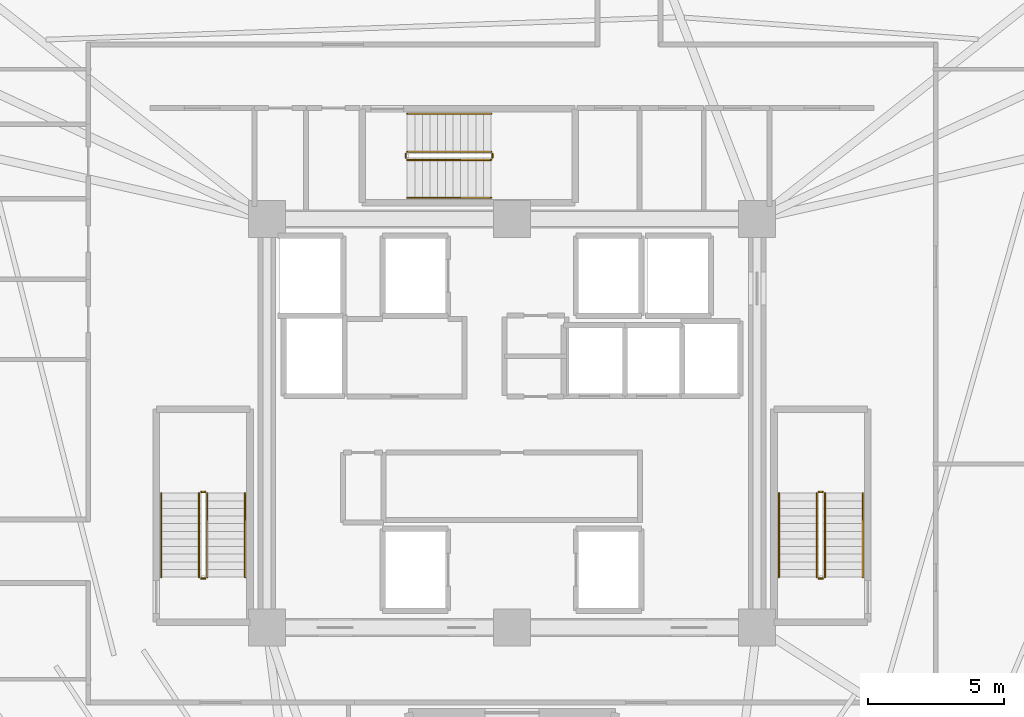
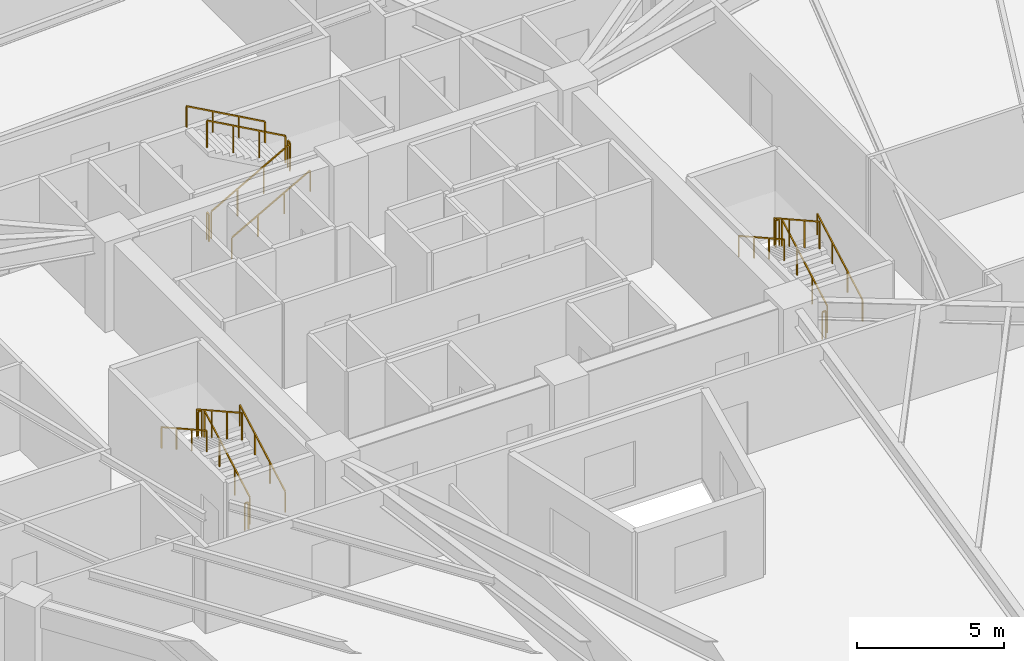
# One storey, part 8 of 8: 18 railings.
"""IFC4 building model written with IfcOpenShell, lengths in metres."""

from ifc_helpers import new_model, si_unit, direction, frame, origin, origin_2d, place, context, subcontext, project, spatial, rectangle, extrude, material, type_object, element, save


model = new_model("IFC4")

# Units and contexts
model_context = context("Model", 3, precision=1e-05, world=origin(), true_north=direction((0.0, 1.0)))
body_context = subcontext(model_context, "Body", "Model", "MODEL_VIEW")
ifc_project = project(units=[si_unit("LENGTHUNIT", "METRE"), si_unit("AREAUNIT", "SQUARE_METRE"), si_unit("VOLUMEUNIT", "CUBIC_METRE"), si_unit("PLANEANGLEUNIT", "RADIAN"), si_unit("MASSUNIT", "GRAM", prefix="KILO")], contexts=[model_context])

# Site, building, storey
site_placement = place(None, origin())
site = spatial("IfcSite", under=ifc_project, at=site_placement, CompositionType="ELEMENT")
building_placement = place(site_placement, origin())
building = spatial("IfcBuilding", under=site, at=building_placement, Name="Liaohun Quay Tower", CompositionType="ELEMENT")
storey_placement = place(building_placement, frame((0.0, 0.0, 213.0)))
storey = spatial("IfcBuildingStorey", under=building, at=storey_placement, Name="L55", CompositionType="ELEMENT", Elevation=213.0)

# Railings
ifc_material_1 = material(Name="Painted tubular steel", Category="steel")
railing_type_1 = type_object("IfcRailingType", Name="RLG-GUARD-STR", PredefinedType="GUARDRAIL", material=ifc_material_1)
railing_1_placement = place(storey_placement, frame((48.81005859375, 48.35009765625, 0.15625)))
element("IfcRailing", 1, at=railing_1_placement, inside=storey, type_object=railing_type_1, Name="L55 ST-1 stair guard 1", PredefinedType="GUARDRAIL", context=body_context, shape_type="SweptSolid", body=[
    extrude(rectangle(XDim=0.048095703125, YDim=0.048095703125, at=origin_2d()), frame((0.0, 0.0, 1.1259765625), z_axis=(0.0, 0.873225103656, 0.487317061414), x_axis=(-1.0, 0.0, 0.0)), (0.0, 0.0, 1.0), 3.52685546875),
    extrude(rectangle(XDim=0.0419921875, YDim=0.0419921875, at=origin_2d()), origin(), (0.0, 0.0, 1.0), 1.101806640625),
    extrude(rectangle(XDim=0.0419921875, YDim=0.0419921875, at=origin_2d()), frame((0.0, 1.026611328125, 0.572998046875)), (0.0, 0.0, 1.0), 1.101806640625),
    extrude(rectangle(XDim=0.0419921875, YDim=0.0419921875, at=origin_2d()), frame((0.0, 2.05322265625, 1.145751953125)), (0.0, 0.0, 1.0), 1.101806640625),
    extrude(rectangle(XDim=0.0419921875, YDim=0.0419921875, at=origin_2d()), frame((0.0, 3.079833984375, 1.71875)), (0.0, 0.0, 1.0), 1.101806640625),
])
railing_2_placement = place(storey_placement, frame((48.72998046875, 51.47998046875, 1.875)))
element("IfcRailing", 2, at=railing_2_placement, inside=storey, type_object=railing_type_1, Name="L55 ST-1 stair guard 2", PredefinedType="GUARDRAIL", context=body_context, shape_type="SweptSolid", body=[
    extrude(rectangle(XDim=0.048095703125, YDim=0.048095703125, at=origin_2d()), frame((0.0, 0.0, 1.1259765625), z_axis=(-1.0, 0.0, 0.0), x_axis=(0.0, -1.0, 0.0)), (0.0, 0.0, 1.0), 0.139892578125),
    extrude(rectangle(XDim=0.0419921875, YDim=0.0419921875, at=origin_2d()), origin(), (0.0, 0.0, 1.0), 1.101806640625),
    extrude(rectangle(XDim=0.0419921875, YDim=0.0419921875, at=origin_2d()), frame((-0.139892578125, 0.0, 0.0)), (0.0, 0.0, 1.0), 1.101806640625),
])
railing_3_placement = place(storey_placement, frame((48.510009765625, 51.429931640625, 2.03125)))
element("IfcRailing", 3, at=railing_3_placement, inside=storey, type_object=railing_type_1, Name="L55 ST-1 stair guard 3", PredefinedType="GUARDRAIL", context=body_context, shape_type="SweptSolid", body=[
    extrude(rectangle(XDim=0.048095703125, YDim=0.048095703125, at=origin_2d()), frame((0.0, 0.0, 1.1259765625), z_axis=(0.0, -0.873225103656, 0.487317061414), x_axis=(1.0, 0.0, 0.0)), (0.0, 0.0, 1.0), 3.52685546875),
    extrude(rectangle(XDim=0.0419921875, YDim=0.0419921875, at=origin_2d()), origin(), (0.0, 0.0, 1.0), 1.101806640625),
    extrude(rectangle(XDim=0.0419921875, YDim=0.0419921875, at=origin_2d()), frame((0.0, -1.026611328125, 0.572998046875)), (0.0, 0.0, 1.0), 1.101806640625),
    extrude(rectangle(XDim=0.0419921875, YDim=0.0419921875, at=origin_2d()), frame((0.0, -2.05322265625, 1.145751953125)), (0.0, 0.0, 1.0), 1.101806640625),
    extrude(rectangle(XDim=0.0419921875, YDim=0.0419921875, at=origin_2d()), frame((0.0, -3.079833984375, 1.71875)), (0.0, 0.0, 1.0), 1.101806640625),
])
railing_4_placement = place(storey_placement, frame((48.72998046875, 48.300048828125, 0.0)))
element("IfcRailing", 4, at=railing_4_placement, inside=storey, type_object=railing_type_1, Name="L55 ST-1 stair guard 4", PredefinedType="GUARDRAIL", context=body_context, shape_type="SweptSolid", body=[
    extrude(rectangle(XDim=0.048095703125, YDim=0.048095703125, at=origin_2d()), frame((0.0, 0.0, 1.1259765625), z_axis=(-1.0, 0.0, 0.0), x_axis=(0.0, -1.0, 0.0)), (0.0, 0.0, 1.0), 0.139892578125),
    extrude(rectangle(XDim=0.0419921875, YDim=0.0419921875, at=origin_2d()), origin(), (0.0, 0.0, 1.0), 1.101806640625),
    extrude(rectangle(XDim=0.0419921875, YDim=0.0419921875, at=origin_2d()), frame((-0.139892578125, 0.0, 0.0)), (0.0, 0.0, 1.0), 1.101806640625),
])
railing_5_placement = place(storey_placement, frame((71.489990234375, 48.35009765625, 0.15625)))
element("IfcRailing", 5, at=railing_5_placement, inside=storey, type_object=railing_type_1, Name="L55 ST-2 stair guard 1", PredefinedType="GUARDRAIL", context=body_context, shape_type="SweptSolid", body=[
    extrude(rectangle(XDim=0.048095703125, YDim=0.048095703125, at=origin_2d()), frame((0.0, 0.0, 1.1259765625), z_axis=(0.0, 0.873225103656, 0.487317061414), x_axis=(-1.0, 0.0, 0.0)), (0.0, 0.0, 1.0), 3.52685546875),
    extrude(rectangle(XDim=0.0419921875, YDim=0.0419921875, at=origin_2d()), origin(), (0.0, 0.0, 1.0), 1.101806640625),
    extrude(rectangle(XDim=0.0419921875, YDim=0.0419921875, at=origin_2d()), frame((0.0, 1.026611328125, 0.572998046875)), (0.0, 0.0, 1.0), 1.101806640625),
    extrude(rectangle(XDim=0.0419921875, YDim=0.0419921875, at=origin_2d()), frame((0.0, 2.05322265625, 1.145751953125)), (0.0, 0.0, 1.0), 1.101806640625),
    extrude(rectangle(XDim=0.0419921875, YDim=0.0419921875, at=origin_2d()), frame((0.0, 3.079833984375, 1.71875)), (0.0, 0.0, 1.0), 1.101806640625),
])
railing_6_placement = place(storey_placement, frame((71.409912109375, 51.47998046875, 1.875)))
element("IfcRailing", 6, at=railing_6_placement, inside=storey, type_object=railing_type_1, Name="L55 ST-2 stair guard 2", PredefinedType="GUARDRAIL", context=body_context, shape_type="SweptSolid", body=[
    extrude(rectangle(XDim=0.048095703125, YDim=0.048095703125, at=origin_2d()), frame((0.0, 0.0, 1.1259765625), z_axis=(-1.0, 0.0, 0.0), x_axis=(0.0, -1.0, 0.0)), (0.0, 0.0, 1.0), 0.139892578125),
    extrude(rectangle(XDim=0.0419921875, YDim=0.0419921875, at=origin_2d()), origin(), (0.0, 0.0, 1.0), 1.101806640625),
    extrude(rectangle(XDim=0.0419921875, YDim=0.0419921875, at=origin_2d()), frame((-0.139892578125, 0.0, 0.0)), (0.0, 0.0, 1.0), 1.101806640625),
])
railing_7_placement = place(storey_placement, frame((71.18994140625, 51.429931640625, 2.03125)))
element("IfcRailing", 7, at=railing_7_placement, inside=storey, type_object=railing_type_1, Name="L55 ST-2 stair guard 3", PredefinedType="GUARDRAIL", context=body_context, shape_type="SweptSolid", body=[
    extrude(rectangle(XDim=0.048095703125, YDim=0.048095703125, at=origin_2d()), frame((0.0, 0.0, 1.1259765625), z_axis=(0.0, -0.873225103656, 0.487317061414), x_axis=(1.0, 0.0, 0.0)), (0.0, 0.0, 1.0), 3.52685546875),
    extrude(rectangle(XDim=0.0419921875, YDim=0.0419921875, at=origin_2d()), origin(), (0.0, 0.0, 1.0), 1.101806640625),
    extrude(rectangle(XDim=0.0419921875, YDim=0.0419921875, at=origin_2d()), frame((0.0, -1.026611328125, 0.572998046875)), (0.0, 0.0, 1.0), 1.101806640625),
    extrude(rectangle(XDim=0.0419921875, YDim=0.0419921875, at=origin_2d()), frame((0.0, -2.05322265625, 1.145751953125)), (0.0, 0.0, 1.0), 1.101806640625),
    extrude(rectangle(XDim=0.0419921875, YDim=0.0419921875, at=origin_2d()), frame((0.0, -3.079833984375, 1.71875)), (0.0, 0.0, 1.0), 1.101806640625),
])
railing_8_placement = place(storey_placement, frame((71.409912109375, 48.300048828125, 0.0)))
element("IfcRailing", 8, at=railing_8_placement, inside=storey, type_object=railing_type_1, Name="L55 ST-2 stair guard 4", PredefinedType="GUARDRAIL", context=body_context, shape_type="SweptSolid", body=[
    extrude(rectangle(XDim=0.048095703125, YDim=0.048095703125, at=origin_2d()), frame((0.0, 0.0, 1.1259765625), z_axis=(-1.0, 0.0, 0.0), x_axis=(0.0, -1.0, 0.0)), (0.0, 0.0, 1.0), 0.139892578125),
    extrude(rectangle(XDim=0.0419921875, YDim=0.0419921875, at=origin_2d()), origin(), (0.0, 0.0, 1.0), 1.101806640625),
    extrude(rectangle(XDim=0.0419921875, YDim=0.0419921875, at=origin_2d()), frame((-0.139892578125, 0.0, 0.0)), (0.0, 0.0, 1.0), 1.101806640625),
])
railing_9_placement = place(storey_placement, frame((56.14990234375, 63.669921875, 0.15625)))
element("IfcRailing", 9, at=railing_9_placement, inside=storey, type_object=railing_type_1, Name="L55 ST-3 stair guard 1", PredefinedType="GUARDRAIL", context=body_context, shape_type="SweptSolid", body=[
    extrude(rectangle(XDim=0.048095703125, YDim=0.048095703125, at=origin_2d()), frame((0.0, 0.0, 1.1259765625), z_axis=(0.873241540666, 0.0, 0.487287606713), x_axis=(0.0, 1.0, 0.0)), (0.0, 0.0, 1.0), 3.527099609375),
    extrude(rectangle(XDim=0.0419921875, YDim=0.0419921875, at=origin_2d()), origin(), (0.0, 0.0, 1.0), 1.101806640625),
    extrude(rectangle(XDim=0.0419921875, YDim=0.0419921875, at=origin_2d()), frame((1.026611328125, 0.0, 0.572998046875)), (0.0, 0.0, 1.0), 1.101806640625),
    extrude(rectangle(XDim=0.0419921875, YDim=0.0419921875, at=origin_2d()), frame((2.053466796875, 0.0, 1.145751953125)), (0.0, 0.0, 1.0), 1.101806640625),
    extrude(rectangle(XDim=0.0419921875, YDim=0.0419921875, at=origin_2d()), frame((3.080078125, 0.0, 1.71875)), (0.0, 0.0, 1.0), 1.101806640625),
])
railing_10_placement = place(storey_placement, frame((59.280029296875, 63.75, 1.875)))
element("IfcRailing", 10, at=railing_10_placement, inside=storey, type_object=railing_type_1, Name="L55 ST-3 stair guard 2", PredefinedType="GUARDRAIL", context=body_context, shape_type="SweptSolid", body=[
    extrude(rectangle(XDim=0.048095703125, YDim=0.048095703125, at=origin_2d()), frame((0.0, 0.0, 1.1259765625), z_axis=(0.0, 1.0, 0.0), x_axis=(-1.0, 0.0, 0.0)), (0.0, 0.0, 1.0), 0.139892578125),
    extrude(rectangle(XDim=0.0419921875, YDim=0.0419921875, at=origin_2d()), origin(), (0.0, 0.0, 1.0), 1.101806640625),
    extrude(rectangle(XDim=0.0419921875, YDim=0.0419921875, at=origin_2d()), frame((0.0, 0.139892578125, 0.0)), (0.0, 0.0, 1.0), 1.101806640625),
])
railing_11_placement = place(storey_placement, frame((59.22998046875, 63.969970703125, 2.03125)))
element("IfcRailing", 11, at=railing_11_placement, inside=storey, type_object=railing_type_1, Name="L55 ST-3 stair guard 3", PredefinedType="GUARDRAIL", context=body_context, shape_type="SweptSolid", body=[
    extrude(rectangle(XDim=0.048095703125, YDim=0.048095703125, at=origin_2d()), frame((0.0, 0.0, 1.1259765625), z_axis=(-0.873241540666, 0.0, 0.487287606713), x_axis=(0.0, -1.0, 0.0)), (0.0, 0.0, 1.0), 3.527099609375),
    extrude(rectangle(XDim=0.0419921875, YDim=0.0419921875, at=origin_2d()), origin(), (0.0, 0.0, 1.0), 1.101806640625),
    extrude(rectangle(XDim=0.0419921875, YDim=0.0419921875, at=origin_2d()), frame((-1.026611328125, 0.0, 0.572998046875)), (0.0, 0.0, 1.0), 1.101806640625),
    extrude(rectangle(XDim=0.0419921875, YDim=0.0419921875, at=origin_2d()), frame((-2.053466796875, 0.0, 1.145751953125)), (0.0, 0.0, 1.0), 1.101806640625),
    extrude(rectangle(XDim=0.0419921875, YDim=0.0419921875, at=origin_2d()), frame((-3.080078125, 0.0, 1.71875)), (0.0, 0.0, 1.0), 1.101806640625),
])
railing_12_placement = place(storey_placement, frame((56.10009765625, 63.75, 0.0)))
element("IfcRailing", 12, at=railing_12_placement, inside=storey, type_object=railing_type_1, Name="L55 ST-3 stair guard 4", PredefinedType="GUARDRAIL", context=body_context, shape_type="SweptSolid", body=[
    extrude(rectangle(XDim=0.048095703125, YDim=0.048095703125, at=origin_2d()), frame((0.0, 0.0, 1.1259765625), z_axis=(0.0, 1.0, 0.0), x_axis=(-1.0, 0.0, 0.0)), (0.0, 0.0, 1.0), 0.139892578125),
    extrude(rectangle(XDim=0.0419921875, YDim=0.0419921875, at=origin_2d()), origin(), (0.0, 0.0, 1.0), 1.101806640625),
    extrude(rectangle(XDim=0.0419921875, YDim=0.0419921875, at=origin_2d()), frame((0.0, 0.139892578125, 0.0)), (0.0, 0.0, 1.0), 1.101806640625),
])
ifc_material_2 = material(Name="Brushed stainless steel", Category="steel")
railing_type_2 = type_object("IfcRailingType", Name="RLG-HND-STR", PredefinedType="HANDRAIL", material=ifc_material_2)
railing_13_placement = place(storey_placement, frame((50.199951171875, 48.35009765625, 0.15625)))
element("IfcRailing", 13, at=railing_13_placement, inside=storey, type_object=railing_type_2, Name="L55 ST-1 stair handrail 1", PredefinedType="HANDRAIL", context=body_context, shape_type="SweptSolid", body=[
    extrude(rectangle(XDim=0.048095703125, YDim=0.048095703125, at=origin_2d()), frame((0.0, 0.0, 0.8759765625), z_axis=(0.0, 0.873225103656, 0.487317061414), x_axis=(-1.0, 0.0, 0.0)), (0.0, 0.0, 1.0), 3.52685546875),
    extrude(rectangle(XDim=0.0419921875, YDim=0.0419921875, at=origin_2d()), origin(), (0.0, 0.0, 1.0), 0.851806640625),
    extrude(rectangle(XDim=0.0419921875, YDim=0.0419921875, at=origin_2d()), frame((0.0, 1.026611328125, 0.572998046875)), (0.0, 0.0, 1.0), 0.851806640625),
    extrude(rectangle(XDim=0.0419921875, YDim=0.0419921875, at=origin_2d()), frame((0.0, 2.05322265625, 1.145751953125)), (0.0, 0.0, 1.0), 0.851806640625),
    extrude(rectangle(XDim=0.0419921875, YDim=0.0419921875, at=origin_2d()), frame((0.0, 3.079833984375, 1.71875)), (0.0, 0.0, 1.0), 0.851806640625),
])
railing_14_placement = place(storey_placement, frame((47.1201171875, 51.429931640625, 2.03125)))
element("IfcRailing", 14, at=railing_14_placement, inside=storey, type_object=railing_type_2, Name="L55 ST-1 stair handrail 2", PredefinedType="HANDRAIL", context=body_context, shape_type="SweptSolid", body=[
    extrude(rectangle(XDim=0.048095703125, YDim=0.048095703125, at=origin_2d()), frame((0.0, 0.0, 0.8759765625), z_axis=(0.0, -0.873225103656, 0.487317061414), x_axis=(1.0, 0.0, 0.0)), (0.0, 0.0, 1.0), 3.52685546875),
    extrude(rectangle(XDim=0.0419921875, YDim=0.0419921875, at=origin_2d()), origin(), (0.0, 0.0, 1.0), 0.851806640625),
    extrude(rectangle(XDim=0.0419921875, YDim=0.0419921875, at=origin_2d()), frame((0.0, -1.026611328125, 0.572998046875)), (0.0, 0.0, 1.0), 0.851806640625),
    extrude(rectangle(XDim=0.0419921875, YDim=0.0419921875, at=origin_2d()), frame((0.0, -2.05322265625, 1.145751953125)), (0.0, 0.0, 1.0), 0.851806640625),
    extrude(rectangle(XDim=0.0419921875, YDim=0.0419921875, at=origin_2d()), frame((0.0, -3.079833984375, 1.71875)), (0.0, 0.0, 1.0), 0.851806640625),
])
railing_15_placement = place(storey_placement, frame((72.8798828125, 48.35009765625, 0.15625)))
element("IfcRailing", 15, at=railing_15_placement, inside=storey, type_object=railing_type_2, Name="L55 ST-2 stair handrail 1", PredefinedType="HANDRAIL", context=body_context, shape_type="SweptSolid", body=[
    extrude(rectangle(XDim=0.048095703125, YDim=0.048095703125, at=origin_2d()), frame((0.0, 0.0, 0.8759765625), z_axis=(0.0, 0.873225103656, 0.487317061414), x_axis=(-1.0, 0.0, 0.0)), (0.0, 0.0, 1.0), 3.52685546875),
    extrude(rectangle(XDim=0.0419921875, YDim=0.0419921875, at=origin_2d()), origin(), (0.0, 0.0, 1.0), 0.851806640625),
    extrude(rectangle(XDim=0.0419921875, YDim=0.0419921875, at=origin_2d()), frame((0.0, 1.026611328125, 0.572998046875)), (0.0, 0.0, 1.0), 0.851806640625),
    extrude(rectangle(XDim=0.0419921875, YDim=0.0419921875, at=origin_2d()), frame((0.0, 2.05322265625, 1.145751953125)), (0.0, 0.0, 1.0), 0.851806640625),
    extrude(rectangle(XDim=0.0419921875, YDim=0.0419921875, at=origin_2d()), frame((0.0, 3.079833984375, 1.71875)), (0.0, 0.0, 1.0), 0.851806640625),
])
railing_16_placement = place(storey_placement, frame((69.800048828125, 51.429931640625, 2.03125)))
element("IfcRailing", 16, at=railing_16_placement, inside=storey, type_object=railing_type_2, Name="L55 ST-2 stair handrail 2", PredefinedType="HANDRAIL", context=body_context, shape_type="SweptSolid", body=[
    extrude(rectangle(XDim=0.048095703125, YDim=0.048095703125, at=origin_2d()), frame((0.0, 0.0, 0.8759765625), z_axis=(0.0, -0.873225103656, 0.487317061414), x_axis=(1.0, 0.0, 0.0)), (0.0, 0.0, 1.0), 3.52685546875),
    extrude(rectangle(XDim=0.0419921875, YDim=0.0419921875, at=origin_2d()), origin(), (0.0, 0.0, 1.0), 0.851806640625),
    extrude(rectangle(XDim=0.0419921875, YDim=0.0419921875, at=origin_2d()), frame((0.0, -1.026611328125, 0.572998046875)), (0.0, 0.0, 1.0), 0.851806640625),
    extrude(rectangle(XDim=0.0419921875, YDim=0.0419921875, at=origin_2d()), frame((0.0, -2.05322265625, 1.145751953125)), (0.0, 0.0, 1.0), 0.851806640625),
    extrude(rectangle(XDim=0.0419921875, YDim=0.0419921875, at=origin_2d()), frame((0.0, -3.079833984375, 1.71875)), (0.0, 0.0, 1.0), 0.851806640625),
])
railing_17_placement = place(storey_placement, frame((56.14990234375, 62.280029296875, 0.15625)))
element("IfcRailing", 17, at=railing_17_placement, inside=storey, type_object=railing_type_2, Name="L55 ST-3 stair handrail 1", PredefinedType="HANDRAIL", context=body_context, shape_type="SweptSolid", body=[
    extrude(rectangle(XDim=0.048095703125, YDim=0.048095703125, at=origin_2d()), frame((0.0, 0.0, 0.8759765625), z_axis=(0.873241540666, 0.0, 0.487287606713), x_axis=(0.0, 1.0, 0.0)), (0.0, 0.0, 1.0), 3.527099609375),
    extrude(rectangle(XDim=0.0419921875, YDim=0.0419921875, at=origin_2d()), origin(), (0.0, 0.0, 1.0), 0.851806640625),
    extrude(rectangle(XDim=0.0419921875, YDim=0.0419921875, at=origin_2d()), frame((1.026611328125, 0.0, 0.572998046875)), (0.0, 0.0, 1.0), 0.851806640625),
    extrude(rectangle(XDim=0.0419921875, YDim=0.0419921875, at=origin_2d()), frame((2.053466796875, 0.0, 1.145751953125)), (0.0, 0.0, 1.0), 0.851806640625),
    extrude(rectangle(XDim=0.0419921875, YDim=0.0419921875, at=origin_2d()), frame((3.080078125, 0.0, 1.71875)), (0.0, 0.0, 1.0), 0.851806640625),
])
railing_18_placement = place(storey_placement, frame((59.22998046875, 65.360107421875, 2.03125)))
element("IfcRailing", 18, at=railing_18_placement, inside=storey, type_object=railing_type_2, Name="L55 ST-3 stair handrail 2", PredefinedType="HANDRAIL", context=body_context, shape_type="SweptSolid", body=[
    extrude(rectangle(XDim=0.048095703125, YDim=0.048095703125, at=origin_2d()), frame((0.0, 0.0, 0.8759765625), z_axis=(-0.873241540666, 0.0, 0.487287606713), x_axis=(0.0, -1.0, 0.0)), (0.0, 0.0, 1.0), 3.527099609375),
    extrude(rectangle(XDim=0.0419921875, YDim=0.0419921875, at=origin_2d()), origin(), (0.0, 0.0, 1.0), 0.851806640625),
    extrude(rectangle(XDim=0.0419921875, YDim=0.0419921875, at=origin_2d()), frame((-1.026611328125, 0.0, 0.572998046875)), (0.0, 0.0, 1.0), 0.851806640625),
    extrude(rectangle(XDim=0.0419921875, YDim=0.0419921875, at=origin_2d()), frame((-2.053466796875, 0.0, 1.145751953125)), (0.0, 0.0, 1.0), 0.851806640625),
    extrude(rectangle(XDim=0.0419921875, YDim=0.0419921875, at=origin_2d()), frame((-3.080078125, 0.0, 1.71875)), (0.0, 0.0, 1.0), 0.851806640625),
])

save(model, "model.ifc")
